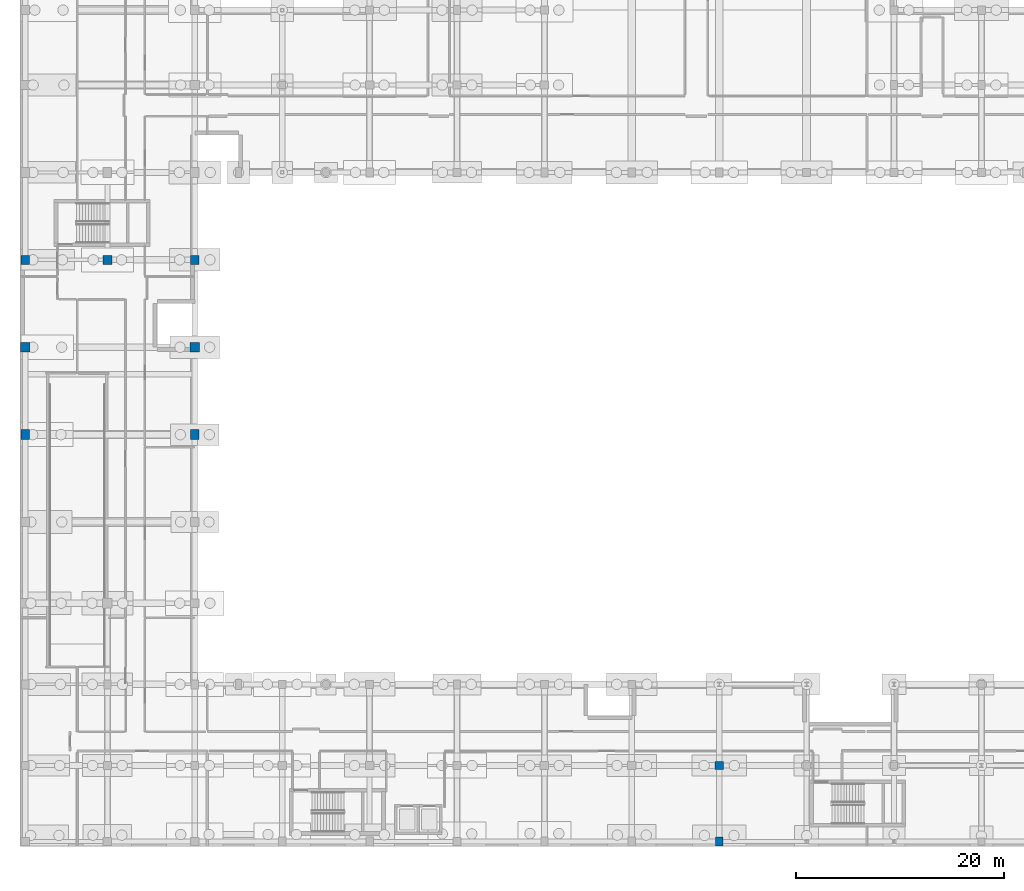
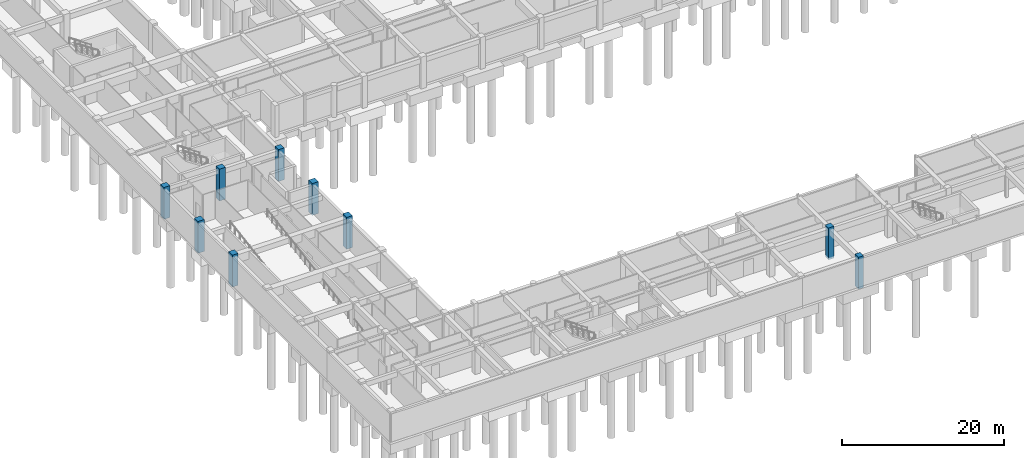
# One storey, part 9 of 42: 9 columns.
"""IFC4 building model written with IfcOpenShell, lengths in metres."""

from ifc_helpers import new_model, si_unit, direction, frame, origin, origin_2d, place, context, subcontext, project, spatial, rectangle, extrude, material, material_profile, profile_set, type_object, element, save


model = new_model("IFC4")

# Units and contexts
model_context = context("Model", 3, precision=1e-05, world=origin(), true_north=direction((0.0, 1.0)))
body_context = subcontext(model_context, "Body", "Model", "MODEL_VIEW")
ifc_project = project(units=[si_unit("LENGTHUNIT", "METRE"), si_unit("AREAUNIT", "SQUARE_METRE"), si_unit("VOLUMEUNIT", "CUBIC_METRE"), si_unit("PLANEANGLEUNIT", "RADIAN"), si_unit("MASSUNIT", "GRAM", prefix="KILO")], contexts=[model_context])

# Site, building, storey
site_placement = place(None, origin())
site = spatial("IfcSite", under=ifc_project, at=site_placement, CompositionType="ELEMENT")
building_placement = place(site_placement, origin())
building = spatial("IfcBuilding", under=site, at=building_placement, Name="Quendrovan Civic Courthouse", CompositionType="ELEMENT")
storey_placement = place(building_placement, frame((0.0, 0.0, -4.5)))
storey = spatial("IfcBuildingStorey", under=building, at=storey_placement, Name="B1", CompositionType="ELEMENT", Elevation=-4.5)

# Columns
ifc_material_1 = material(Name="Concrete C40/50", Category="concrete")
ifc_material_profile_1 = material_profile(ifc_material_1, rectangle(XDim=0.699951171875, YDim=0.85009765625, at=origin_2d()), Name="RC-COL-700x850")
ifc_profile_set_1 = profile_set([ifc_material_profile_1], Name="Concrete C40/50")
column_type_1 = type_object("IfcColumnType", Name="COL-RC-700x850", PredefinedType="COLUMN", material=ifc_profile_set_1)
column_1_placement = place(storey_placement, frame((67.199951171875, 0.5, -0.300048828125), z_axis=(0.0, 0.0, 1.0), x_axis=(1.0, 0.0, 0.0)))
element("IfcColumn", 1, at=column_1_placement, inside=storey, type_object=column_type_1, Name="B1 Column 9-A", PredefinedType="COLUMN", context=body_context, shape_type="SweptSolid", body=[
    extrude(rectangle(XDim=0.699951171875, YDim=0.85009765625, at=origin_2d()), origin(), (0.0, 0.0, 1.0), 4.800048828125),
])
ifc_material_2 = material(Name="Concrete C45/55", Category="concrete")
ifc_material_profile_2 = material_profile(ifc_material_2, rectangle(XDim=0.800048828125, YDim=0.949951171875, at=origin_2d()), Name="RC-COL-800x950")
ifc_profile_set_2 = profile_set([ifc_material_profile_2], Name="Concrete C45/55")
column_type_2 = type_object("IfcColumnType", Name="COL-RC-800x950", PredefinedType="COLUMN", material=ifc_profile_set_2)
for number, where, z_axis, x_axis, name in (
    (2, (0.5, 39.60009765625, -0.300048828125), (0.0, 0.0, 1.0), (1.0, 0.0, 0.0), "B1 Column 1-F"),
    (3, (16.800048828125, 39.60009765625, -0.300048828125), (0.0, 0.0, 1.0), (1.0, 0.0, 0.0), "B1 Column 3-F"),
):
    element("IfcColumn", number, at=place(storey_placement, frame(where, z_axis=z_axis, x_axis=x_axis)), inside=storey, type_object=column_type_2, Name=name, PredefinedType="COLUMN", context=body_context, shape_type="SweptSolid", body=[
        extrude(rectangle(XDim=0.800048828125, YDim=0.949951171875, at=origin_2d()), origin(), (0.0, 0.0, 1.0), 4.800048828125),
    ])
ifc_material_profile_3 = material_profile(ifc_material_2, rectangle(XDim=0.800048828125, YDim=0.800048828125, at=origin_2d()), Name="RC-COL-800x800")
ifc_profile_set_3 = profile_set([ifc_material_profile_3], Name="Concrete C45/55")
column_type_3 = type_object("IfcColumnType", Name="COL-RC800", PredefinedType="COLUMN", material=ifc_profile_set_3)
column_2_placement = place(storey_placement, frame((67.199951171875, 7.800048828125, -0.300048828125), z_axis=(0.0, 0.0, 1.0), x_axis=(1.0, 0.0, 0.0)))
element("IfcColumn", 4, at=column_2_placement, inside=storey, type_object=column_type_3, Name="B1 Column 9-B", PredefinedType="COLUMN", context=body_context, shape_type="SweptSolid", body=[
    extrude(rectangle(XDim=0.800048828125, YDim=0.800048828125, at=origin_2d()), origin(), (0.0, 0.0, 1.0), 4.800048828125),
])
ifc_material_profile_4 = material_profile(ifc_material_2, rectangle(XDim=0.85009765625, YDim=0.85009765625, at=origin_2d()), Name="RC-COL-850x850")
ifc_profile_set_4 = profile_set([ifc_material_profile_4], Name="Concrete C45/55")
column_type_4 = type_object("IfcColumnType", Name="COL-RC850", PredefinedType="COLUMN", material=ifc_profile_set_4)
for number, where, z_axis, x_axis, name in (
    (5, (0.5, 56.39990234375, -0.300048828125), (0.0, 0.0, 1.0), (1.0, 0.0, 0.0), "B1 Column 1-H"),
    (6, (8.39990234375, 56.39990234375, -0.300048828125), (0.0, 0.0, 1.0), (1.0, 0.0, 0.0), "B1 Column 2-H"),
    (7, (16.800048828125, 56.39990234375, -0.300048828125), (0.0, 0.0, 1.0), (1.0, 0.0, 0.0), "B1 Column 3-H"),
):
    element("IfcColumn", number, at=place(storey_placement, frame(where, z_axis=z_axis, x_axis=x_axis)), inside=storey, type_object=column_type_4, Name=name, PredefinedType="COLUMN", context=body_context, shape_type="SweptSolid", body=[
        extrude(rectangle(XDim=0.85009765625, YDim=0.85009765625, at=origin_2d()), origin(), (0.0, 0.0, 1.0), 4.800048828125),
    ])
ifc_material_profile_5 = material_profile(ifc_material_2, rectangle(XDim=0.89990234375, YDim=0.89990234375, at=origin_2d()), Name="RC-COL-900x900")
ifc_profile_set_5 = profile_set([ifc_material_profile_5], Name="Concrete C45/55")
column_type_5 = type_object("IfcColumnType", Name="COL-RC900", PredefinedType="COLUMN", material=ifc_profile_set_5)
for number, where, z_axis, x_axis, name in (
    (8, (0.5, 48.0, -0.300048828125), (0.0, 0.0, 1.0), (1.0, 0.0, 0.0), "B1 Column 1-G"),
    (9, (16.800048828125, 48.0, -0.300048828125), (0.0, 0.0, 1.0), (1.0, 0.0, 0.0), "B1 Column 3-G"),
):
    element("IfcColumn", number, at=place(storey_placement, frame(where, z_axis=z_axis, x_axis=x_axis)), inside=storey, type_object=column_type_5, Name=name, PredefinedType="COLUMN", context=body_context, shape_type="SweptSolid", body=[
        extrude(rectangle(XDim=0.89990234375, YDim=0.89990234375, at=origin_2d()), origin(), (0.0, 0.0, 1.0), 4.800048828125),
    ])

save(model, "model.ifc")
